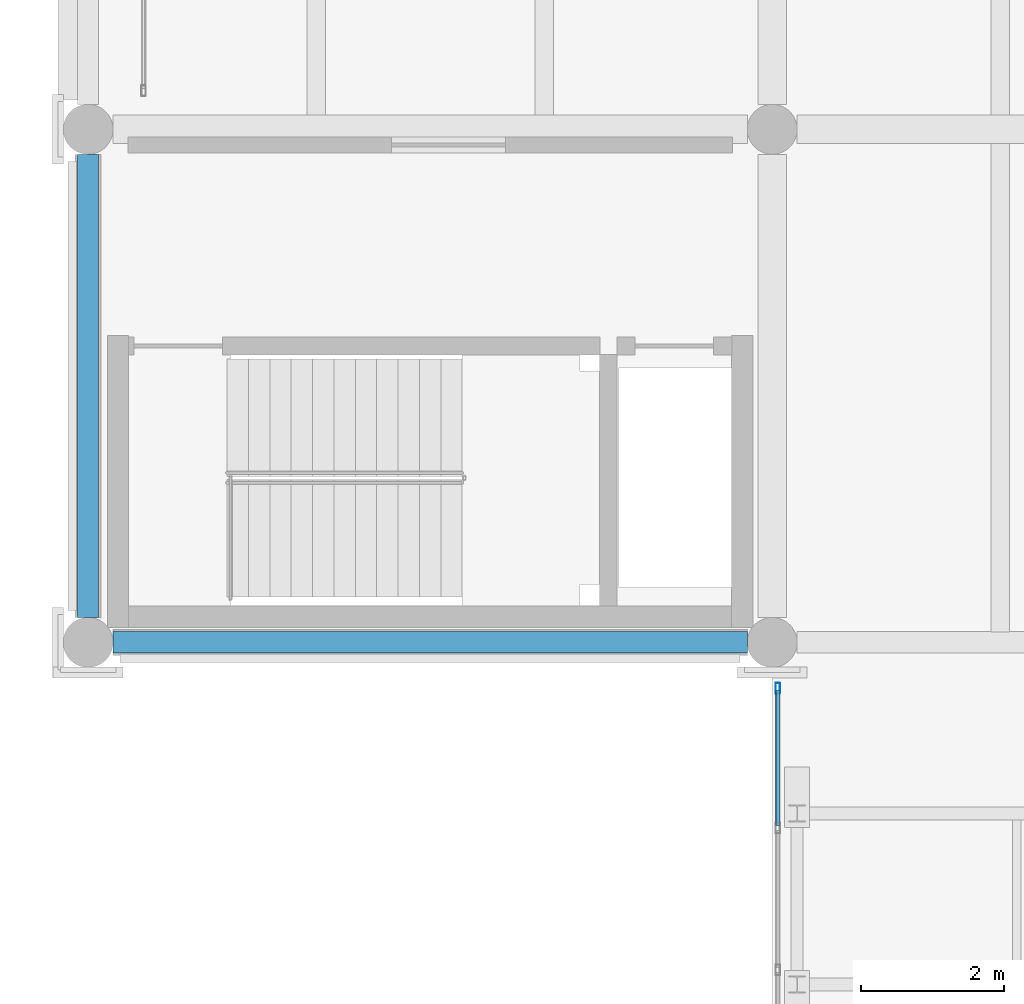
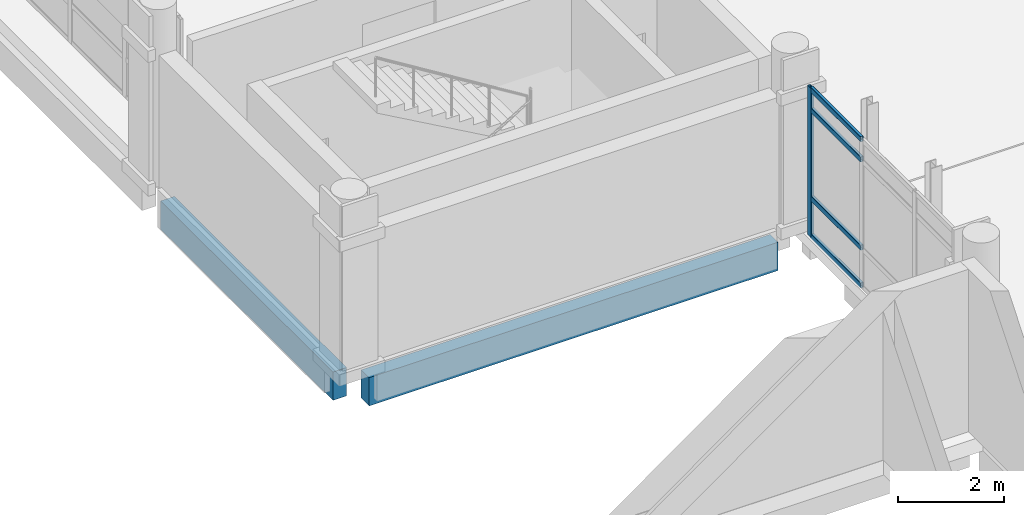
# One storey, part 33 of 180: 5 members, 2 beams, 1 element without a shape of its own.
"""IFC4 building model written with IfcOpenShell, lengths in metres."""

from ifc_helpers import new_model, si_unit, direction, frame, origin, origin_2d, place, context, subcontext, project, spatial, rectangle, hollow_rectangle, extrude, material, layer, layer_set, material_profile, profile_set, type_object, element, aggregate, save


model = new_model("IFC4")

# Units and contexts
model_context = context("Model", 3, precision=1e-05, world=origin(), true_north=direction((0.0, 1.0)))
body_context = subcontext(model_context, "Body", "Model", "MODEL_VIEW")
ifc_project = project(units=[si_unit("LENGTHUNIT", "METRE"), si_unit("AREAUNIT", "SQUARE_METRE"), si_unit("VOLUMEUNIT", "CUBIC_METRE"), si_unit("PLANEANGLEUNIT", "RADIAN"), si_unit("MASSUNIT", "GRAM", prefix="KILO")], contexts=[model_context])

# Site, building, storey
site_placement = place(None, origin())
site = spatial("IfcSite", under=ifc_project, at=site_placement, CompositionType="ELEMENT")
building_placement = place(site_placement, origin())
building = spatial("IfcBuilding", under=site, at=building_placement, Name="Asteropetra Specialist Clinic", CompositionType="ELEMENT")
storey_placement = place(building_placement, frame((0.0, 0.0, 4.419921875)))
storey = spatial("IfcBuildingStorey", under=building, at=storey_placement, Name="L01", CompositionType="ELEMENT", Elevation=4.419921875)

# Curtain wall, members
ifc_material_1 = material(Name="Aluminium and low-E glass", Category="aluminium")
ifc_layer = layer(ifc_material_1, 0.179931640625)
ifc_layer_set = layer_set([ifc_layer], Name="Aluminium and low-E glass")
curtain_wall_type = type_object("IfcCurtainWallType", Name="CW-SYS-07", PredefinedType="USERDEFINED", material=ifc_layer_set)
curtain_wall_placement = place(storey_placement, origin())
curtain_wall = element("IfcCurtainWall", 1, at=curtain_wall_placement, inside=storey, type_object=curtain_wall_type, Name="Curtain Wall CW-097", ObjectType="STICK GLAZED COLONNADE", PredefinedType="USERDEFINED")
ifc_material_2 = material(Name="Aluminium 6063-T6", Category="aluminium")
ifc_material_profile_1 = material_profile(ifc_material_2, hollow_rectangle(XDim=0.06494140625, YDim=0.14990234375, WallThickness=0.00390625, InnerFilletRadius=0.00390625, OuterFilletRadius=0.008056640625, at=origin_2d()), Name="MUL 150x65x4.0")
ifc_profile_set_1 = profile_set([ifc_material_profile_1], Name="Aluminium 6063-T6")
member_type_1 = type_object("IfcMemberType", Name="CWM-150x65", PredefinedType="MULLION", material=ifc_profile_set_1)
member_1_placement = place(storey_placement, frame((9.679931640625, 32.95751953125, 0.0), z_axis=(0.0, 0.0, 1.0), x_axis=(-1.0, 0.0, 0.0)))
member_1 = element("IfcMember", 2, at=member_1_placement, type_object=member_type_1, Name="CW-097 mullion 4", PredefinedType="MULLION", context=body_context, shape_type="SweptSolid", body=[
    extrude(hollow_rectangle(XDim=0.06494140625, YDim=0.14990234375, WallThickness=0.00390625, InnerFilletRadius=0.00390625, OuterFilletRadius=0.008056640625, at=origin_2d()), origin(), (0.0, 0.0, 1.0), 3.43017578125),
])
ifc_material_3 = material(Name="Aluminium 6063-T6", Category="aluminium")
ifc_material_profile_2 = material_profile(ifc_material_3, hollow_rectangle(XDim=0.06494140625, YDim=0.1201171875, WallThickness=0.00390625, InnerFilletRadius=0.00390625, OuterFilletRadius=0.008056640625, at=origin_2d()), Name="TRN 120x65x4.0")
ifc_profile_set_2 = profile_set([ifc_material_profile_2], Name="Aluminium 6063-T6")
member_type_2 = type_object("IfcMemberType", Name="CWT-120x65", PredefinedType="USERDEFINED", material=ifc_profile_set_2)
member_2_placement = place(storey_placement, frame((9.679931640625, 31.029052734375, 0.032470703125), z_axis=(0.0, 1.0, 0.0), x_axis=(-1.0, 0.0, 0.0)))
member_2 = element("IfcMember", 3, at=member_2_placement, type_object=member_type_2, Name="CW-097 transom 3.1", ObjectType="TRANSOM", PredefinedType="USERDEFINED", context=body_context, shape_type="SweptSolid", body=[
    extrude(hollow_rectangle(XDim=0.06494140625, YDim=0.1201171875, WallThickness=0.00390625, InnerFilletRadius=0.00390625, OuterFilletRadius=0.008056640625, at=origin_2d()), origin(), (0.0, 0.0, 1.0), 1.89599609375),
])
member_3_placement = place(storey_placement, frame((9.679931640625, 31.029052734375, 0.900146484375), z_axis=(0.0, 1.0, 0.0), x_axis=(-1.0, 0.0, 0.0)))
member_3 = element("IfcMember", 4, at=member_3_placement, type_object=member_type_2, Name="CW-097 transom 3.2", ObjectType="TRANSOM", PredefinedType="USERDEFINED", context=body_context, shape_type="SweptSolid", body=[
    extrude(hollow_rectangle(XDim=0.06494140625, YDim=0.1201171875, WallThickness=0.00390625, InnerFilletRadius=0.00390625, OuterFilletRadius=0.008056640625, at=origin_2d()), origin(), (0.0, 0.0, 1.0), 1.89599609375),
])
member_4_placement = place(storey_placement, frame((9.679931640625, 31.029052734375, 2.93017578125), z_axis=(0.0, 1.0, 0.0), x_axis=(-1.0, 0.0, 0.0)))
member_4 = element("IfcMember", 5, at=member_4_placement, type_object=member_type_2, Name="CW-097 transom 3.3", ObjectType="TRANSOM", PredefinedType="USERDEFINED", context=body_context, shape_type="SweptSolid", body=[
    extrude(hollow_rectangle(XDim=0.06494140625, YDim=0.1201171875, WallThickness=0.00390625, InnerFilletRadius=0.00390625, OuterFilletRadius=0.008056640625, at=origin_2d()), origin(), (0.0, 0.0, 1.0), 1.89599609375),
])
member_5_placement = place(storey_placement, frame((9.679931640625, 31.029052734375, 3.3974609375), z_axis=(0.0, 1.0, 0.0), x_axis=(-1.0, 0.0, 0.0)))
member_5 = element("IfcMember", 6, at=member_5_placement, type_object=member_type_2, Name="CW-097 transom 3.4", ObjectType="TRANSOM", PredefinedType="USERDEFINED", context=body_context, shape_type="SweptSolid", body=[
    extrude(hollow_rectangle(XDim=0.06494140625, YDim=0.1201171875, WallThickness=0.00390625, InnerFilletRadius=0.00390625, OuterFilletRadius=0.008056640625, at=origin_2d()), origin(), (0.0, 0.0, 1.0), 1.89599609375),
])
aggregate(curtain_wall, [member_1, member_2, member_3, member_4, member_5])

# Beams
ifc_material_4 = material(Name="Concrete C35/45", Category="concrete")
ifc_material_profile_3 = material_profile(ifc_material_4, rectangle(XDim=0.300048828125, YDim=0.64990234375, at=origin_2d()), Name="RCS 300x650")
ifc_profile_set_3 = profile_set([ifc_material_profile_3], Name="Concrete C35/45")
beam_type = type_object("IfcBeamType", Name="SPN-RC300x650", PredefinedType="SPANDREL", material=ifc_profile_set_3)
beam_1_placement = place(storey_placement, frame((0.35009765625, 33.60009765625, -0.625), z_axis=(1.0, 0.0, 0.0), x_axis=(0.0, 1.0, 0.0)))
element("IfcBeam", 7, at=beam_1_placement, inside=storey, type_object=beam_type, Name="Beam BSPN03-0309", PredefinedType="SPANDREL", context=body_context, shape_type="SweptSolid", body=[
    extrude(rectangle(XDim=0.300048828125, YDim=0.64990234375, at=origin_2d()), origin(), (0.0, 0.0, 1.0), 8.89990234375),
])
beam_2_placement = place(storey_placement, frame((0.0, 33.949951171875, -0.625), z_axis=(0.0, 1.0, 0.0), x_axis=(-1.0, 0.0, 0.0)))
element("IfcBeam", 8, at=beam_2_placement, inside=storey, type_object=beam_type, Name="Beam BSPN03-0334", PredefinedType="SPANDREL", context=body_context, shape_type="SweptSolid", body=[
    extrude(rectangle(XDim=0.300048828125, YDim=0.64990234375, at=origin_2d()), origin(), (0.0, 0.0, 1.0), 6.5),
])

save(model, "model.ifc")
